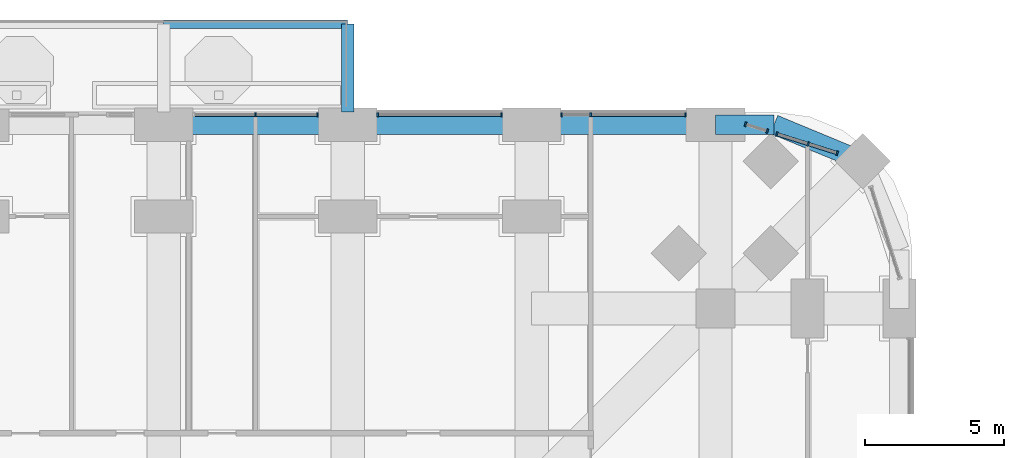
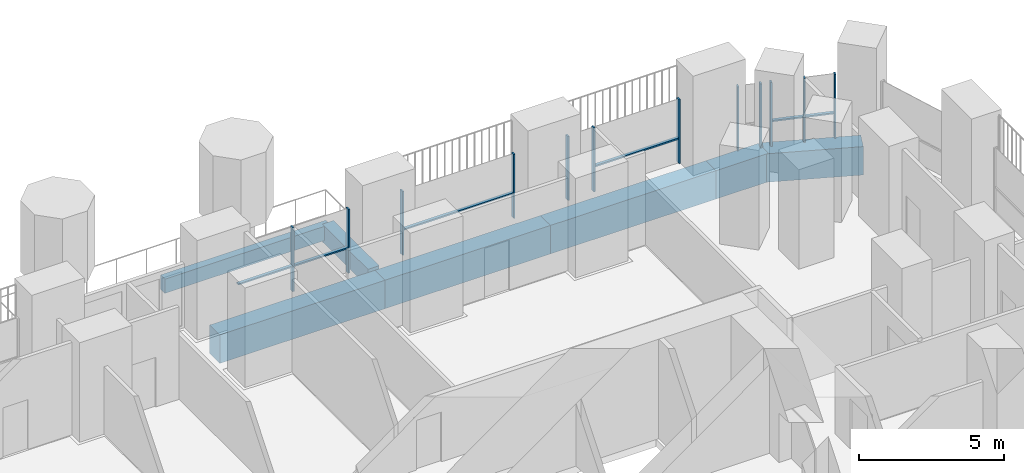
# One storey, part 9 of 26: 18 members, 7 beams, 5 elements without a shape of their own.
"""IFC4 building model written with IfcOpenShell, lengths in metres."""

import ifcopenshell
import ifcopenshell.guid

model = None  # the IFC model being written
_history = None  # IfcOwnerHistory: only IFC2X3 demands one
_inside = {}  # id of a spatial element -> (the spatial element, [elements in it])
_under = {}  # id of a project, library or spatial element -> (it, [spatial elements below it])
_declared = {}  # id of a project -> (the project, [libraries it declares])
_typed = {}  # id of a type object -> (the type object, [elements of that type])
_made_of = {}  # id of a material, layer set ... -> (it, [elements and type objects made of it])


def new_model(schema):
    """Start an empty IFC model of exactly this schema.

    Asked for "IFC4X3", IfcOpenShell would pick the latest addendum, in which some entities
    have other attributes; the version numbers below select the first issue.
    IFC2X3 requires an IfcOwnerHistory on every rooted entity: one is made here for all.
    """
    global model, _history
    if schema == "IFC4X3":
        model = ifcopenshell.file(schema_version=(4, 3, 0, 0))
    else:
        model = ifcopenshell.file(schema=schema)
    _inside.clear()
    _under.clear()
    _declared.clear()
    _typed.clear()
    _made_of.clear()
    _history = None
    if model.schema == "IFC2X3":
        org = make("IfcOrganization", Name="unknown")
        user = make(
            "IfcPersonAndOrganization",
            ThePerson=make("IfcPerson", FamilyName="unknown"),
            TheOrganization=org,
        )
        app = make(
            "IfcApplication",
            ApplicationDeveloper=org,
            Version="unknown",
            ApplicationFullName="unknown",
            ApplicationIdentifier="unknown",
        )
        _history = make(
            "IfcOwnerHistory",
            OwningUser=user,
            OwningApplication=app,
            ChangeAction="ADDED",
            CreationDate=0,
        )
    return model


def make(cls, **values):
    """One entity of the class cls with the attributes given. An attribute that is None is left unset."""
    return model.create_entity(
        cls, **{name: value for name, value in values.items() if value is not None}
    )


def rooted(cls, **values):
    """An entity with a GlobalId (a new one), such as an element, a storey or a relation."""
    return make(cls, GlobalId=ifcopenshell.guid.new(), OwnerHistory=_history, **values)


def si_unit(unit_type, name, prefix=None):
    """IfcSIUnit, for example si_unit("LENGTHUNIT", "METRE", prefix="MILLI")."""
    return make("IfcSIUnit", UnitType=unit_type, Prefix=prefix, Name=name)


def assignment(units):
    """IfcUnitAssignment: the units of a project."""
    return None if units is None else make("IfcUnitAssignment", Units=units)


def point(xyz):
    """IfcCartesianPoint."""
    return None if xyz is None else make("IfcCartesianPoint", Coordinates=xyz)


def direction(xyz):
    """IfcDirection."""
    return None if xyz is None else make("IfcDirection", DirectionRatios=xyz)


def frame(location, z_axis=None, x_axis=None):
    """IfcAxis2Placement3D, a coordinate frame: its origin and axes. An axis left out is left unset."""
    return make(
        "IfcAxis2Placement3D",
        Location=point(location),
        Axis=direction(z_axis),
        RefDirection=direction(x_axis),
    )


def frame_2d(location, x_axis=None):
    """IfcAxis2Placement2D, a coordinate frame in the plane: its origin and x axis."""
    return make(
        "IfcAxis2Placement2D", Location=point(location), RefDirection=direction(x_axis)
    )


def origin():
    """The frame at (0, 0, 0) with its axes left unset."""
    return frame((0.0, 0.0, 0.0))


def origin_2d():
    """The frame at (0, 0) in the plane with its x axis left unset."""
    return frame_2d((0.0, 0.0))


def place(relative_to, where):
    """IfcLocalPlacement: puts the frame where relative to a parent placement (None: the world)."""
    return make(
        "IfcLocalPlacement", PlacementRelTo=relative_to, RelativePlacement=where
    )


def context(
    kind, dimensions, precision=None, world=None, true_north=None, identifier=None
):
    """IfcGeometricRepresentationContext, for example the 3D "Model" context."""
    return make(
        "IfcGeometricRepresentationContext",
        ContextIdentifier=identifier,
        ContextType=kind,
        CoordinateSpaceDimension=dimensions,
        Precision=precision,
        WorldCoordinateSystem=world,
        TrueNorth=true_north,
    )


def subcontext(parent, identifier, kind, view, scale=None):
    """IfcGeometricRepresentationSubContext, for example "Body" below "Model"."""
    return make(
        "IfcGeometricRepresentationSubContext",
        ContextIdentifier=identifier,
        ContextType=kind,
        ParentContext=parent,
        TargetScale=scale,
        TargetView=view,
    )


def project(units=None, contexts=None):
    """IfcProject with its units and contexts."""
    return rooted(
        "IfcProject",
        Name="project",
        RepresentationContexts=contexts,
        UnitsInContext=assignment(units),
    )


def spatial(cls, under=None, at=None, **own):
    """A site, building, storey or space (cls), placed at a placement, below another one or the project."""
    s = rooted(cls, ObjectPlacement=at, **own)
    if under is not None:
        _under.setdefault(under.id(), (under, []))[1].append(s)
    return s


def profile(cls, at=None, kind="AREA", **sizes):
    """A parametric profile (cls). Its sizes go by their IFC names, for example OverallWidth=200.0."""
    return make(cls, ProfileType=kind, Position=at, **sizes)


def rectangle(**sizes):
    """IfcRectangleProfileDef."""
    return profile("IfcRectangleProfileDef", **sizes)


def extrude(swept, where, along, depth):
    """IfcExtrudedAreaSolid: the profile swept, set in the frame where, extruded along a direction by depth."""
    return make(
        "IfcExtrudedAreaSolid",
        SweptArea=swept,
        Position=where,
        ExtrudedDirection=direction(along),
        Depth=depth,
    )


def shape(context_of_items, identifier, shape_type, items):
    """IfcShapeRepresentation: the items that make up one representation, for example the "Body"."""
    return make(
        "IfcShapeRepresentation",
        ContextOfItems=context_of_items,
        RepresentationIdentifier=identifier,
        RepresentationType=shape_type,
        Items=items,
    )


def material(Name=None, Category=None):
    """IfcMaterial."""
    return make("IfcMaterial", Name=Name, Category=Category)


def material_profile(
    of_material, cross_section, Name=None, Category=None, Priority=None
):
    """IfcMaterialProfile: a cross section and its material."""
    return make(
        "IfcMaterialProfile",
        Name=Name,
        Material=of_material,
        Profile=cross_section,
        Priority=Priority,
        Category=Category,
    )


def profile_set(profiles, Name=None, composite=None):
    """IfcMaterialProfileSet."""
    return make(
        "IfcMaterialProfileSet",
        Name=Name,
        MaterialProfiles=profiles,
        CompositeProfile=composite,
    )


def made_of(thing, what):
    """Note that an element or type object is made of a material, layer set ...; save() writes the relation."""
    if what is not None:
        _made_of.setdefault(what.id(), (what, []))[1].append(thing)
    return thing


def type_object(cls, material=None, **own):
    """A type object (cls), such as IfcWallType, which elements share."""
    return made_of(rooted(cls, **own), material)


def element(
    cls,
    number,
    at=None,
    inside=None,
    cuts=None,
    type_object=None,
    material=None,
    context=None,
    identifier="Body",
    shape_type=None,
    held_by="IfcProductDefinitionShape",
    body=None,
    shapes=None,
    **own,
):
    """One element of the class cls, such as IfcWall. Its Tag is "e" and its number.

    at: its placement. inside: the storey or other place that contains it. cuts: it is an
    opening in that element (IfcRelVoidsElement). A single representation is given by context,
    identifier, shape_type and body (its items); several are given by shapes. held_by: the class
    of the entity that holds the representations. save() writes the other relations.
    """
    e = rooted(cls, Tag="e%d" % number, ObjectPlacement=at, **own)
    if body is not None:
        shapes = [shape(context, identifier, shape_type, body)]
    if shapes is not None:
        e.Representation = make(held_by, Representations=shapes)
    if inside is not None:
        _inside.setdefault(inside.id(), (inside, []))[1].append(e)
    if cuts is not None:
        rooted(
            "IfcRelVoidsElement", RelatingBuildingElement=cuts, RelatedOpeningElement=e
        )
    if type_object is not None:
        _typed.setdefault(type_object.id(), (type_object, []))[1].append(e)
    return made_of(e, material)


def aggregate(whole, parts):
    """IfcRelAggregates: a whole, such as a stair, and the parts it consists of."""
    return rooted("IfcRelAggregates", RelatingObject=whole, RelatedObjects=parts)


def save(model, path):
    """Write the relations noted so far, then the file.

    IfcRelAggregates (storeys below a building ...), IfcRelContainedInSpatialStructure (elements
    in a storey), IfcRelDefinesByType, IfcRelAssociatesMaterial and IfcRelDeclares: one each for
    every whole, place, type object, material and project.
    """
    for whole, parts in _under.values():
        aggregate(whole, parts)
    for where, things in _inside.values():
        rooted(
            "IfcRelContainedInSpatialStructure",
            RelatedElements=things,
            RelatingStructure=where,
        )
    for kind, things in _typed.values():
        rooted("IfcRelDefinesByType", RelatedObjects=things, RelatingType=kind)
    for what, things in _made_of.values():
        rooted("IfcRelAssociatesMaterial", RelatedObjects=things, RelatingMaterial=what)
    for by, libraries in _declared.values():
        rooted("IfcRelDeclares", RelatingContext=by, RelatedDefinitions=libraries)
    model.write(path)


model = new_model("IFC4")

# Units and contexts
model_context = context("Model", 3, precision=1e-05, world=origin(), true_north=direction((0.0, 1.0)))
body_context = subcontext(model_context, "Body", "Model", "MODEL_VIEW")
ifc_project = project(units=[si_unit("LENGTHUNIT", "METRE"), si_unit("AREAUNIT", "SQUARE_METRE"), si_unit("VOLUMEUNIT", "CUBIC_METRE"), si_unit("PLANEANGLEUNIT", "RADIAN"), si_unit("MASSUNIT", "GRAM", prefix="KILO")], contexts=[model_context])

# Site, building, storey
site_placement = place(None, origin())
site = spatial("IfcSite", under=ifc_project, at=site_placement, CompositionType="ELEMENT")
building_placement = place(site_placement, origin())
building = spatial("IfcBuilding", under=site, at=building_placement, Name="Cobogo Forest Laboratory Tower", CompositionType="ELEMENT")
storey_placement = place(building_placement, frame((0.0, 0.0, 25.5)))
storey = spatial("IfcBuildingStorey", under=building, at=storey_placement, Name="L05", CompositionType="ELEMENT", Elevation=25.5)

# Beams
ifc_material_1 = material(Name="Concrete HA-40 (C40/50)", Category="concrete")
ifc_material_profile_1 = material_profile(ifc_material_1, rectangle(XDim=0.449951171875, YDim=0.75, at=origin_2d()), Name="RC 450x750")
ifc_profile_set_1 = profile_set([ifc_material_profile_1], Name="Concrete HA-40 (C40/50)")
beam_type_1 = type_object("IfcBeamType", Name="Balcony cantilever beam 450x750", PredefinedType="BEAM", material=ifc_profile_set_1)
beam_1_placement = place(storey_placement, frame((33.0, 46.64990234375, -0.625), z_axis=(0.0, 1.0, 0.0), x_axis=(-1.0, 0.0, 0.0)))
element("IfcBeam", 1, at=beam_1_placement, inside=storey, type_object=beam_type_1, Name="CB1 BAL-N1-C3 L05", PredefinedType="BEAM", context=body_context, shape_type="SweptSolid", body=[
    extrude(rectangle(XDim=0.449951171875, YDim=0.75, at=origin_2d()), origin(), (0.0, 0.0, 1.0), 3.150146484375),
])
ifc_material_profile_2 = material_profile(ifc_material_1, rectangle(XDim=0.300048828125, YDim=0.60009765625, at=origin_2d()), Name="RC 300x600")
ifc_profile_set_2 = profile_set([ifc_material_profile_2], Name="Concrete HA-40 (C40/50)")
beam_type_2 = type_object("IfcBeamType", Name="Balcony edge beam 300x600", PredefinedType="BEAM", material=ifc_profile_set_2)
beam_2_placement = place(storey_placement, frame((26.39990234375, 49.800048828125, -0.550048828125), z_axis=(1.0, 0.0, 0.0), x_axis=(0.0, 1.0, 0.0)))
element("IfcBeam", 2, at=beam_2_placement, inside=storey, type_object=beam_type_2, Name="BB1 BAL-N1-T2 L05", PredefinedType="BEAM", context=body_context, shape_type="SweptSolid", body=[
    extrude(rectangle(XDim=0.300048828125, YDim=0.60009765625, at=origin_2d()), origin(), (0.0, 0.0, 1.0), 6.60009765625),
])

# Curtain wall, members
ifc_material_2 = material(Name="Aluminium curtain wall", Category="aluminium")
curtain_wall_type = type_object("IfcCurtainWallType", Name="CW-1 unitised curtain wall, clear glazing, laboratory floors zones A and B", PredefinedType="USERDEFINED", material=ifc_material_2)
curtain_wall_1_placement = place(storey_placement, origin())
curtain_wall_1 = element("IfcCurtainWall", 3, at=curtain_wall_1_placement, inside=storey, type_object=curtain_wall_type, Name="Curtain wall 16 L05", ObjectType="UNITISED CURTAIN WALL", PredefinedType="USERDEFINED")
ifc_material_3 = material(Name="Aluminium mullion", Category="aluminium")
ifc_material_profile_3 = material_profile(ifc_material_3, rectangle(XDim=0.06005859375, YDim=0.159912109375, at=origin_2d()), Name="AL 60x160")
ifc_profile_set_3 = profile_set([ifc_material_profile_3], Name="Aluminium mullion")
member_type_1 = type_object("IfcMemberType", Name="MU-1 aluminium mullion 60x160", PredefinedType="MULLION", material=ifc_profile_set_3)
member_1_placement = place(storey_placement, frame((50.561279296875, 45.1728515625, 0.0), z_axis=(0.0, 0.0, 1.0), x_axis=(-0.953581409645, 0.301135343623, 0.0)))
member_1 = element("IfcMember", 4, at=member_1_placement, type_object=member_type_1, Name="CW-1 mullion 1", PredefinedType="MULLION", context=body_context, shape_type="SweptSolid", body=[
    extrude(rectangle(XDim=0.06005859375, YDim=0.159912109375, at=origin_2d()), origin(), (0.0, 0.0, 1.0), 2.699951171875),
])
member_2_placement = place(storey_placement, frame((49.524169921875, 45.500244140625, 0.0), z_axis=(0.0, 0.0, 1.0), x_axis=(-0.953581409645, 0.301135343623, 0.0)))
member_2 = element("IfcMember", 5, at=member_2_placement, type_object=member_type_1, Name="CW-1 mullion 2", PredefinedType="MULLION", context=body_context, shape_type="SweptSolid", body=[
    extrude(rectangle(XDim=0.06005859375, YDim=0.159912109375, at=origin_2d()), origin(), (0.0, 0.0, 1.0), 2.699951171875),
])
member_3_placement = place(storey_placement, frame((48.403076171875, 45.854248046875, 0.0), z_axis=(0.0, 0.0, 1.0), x_axis=(-0.953581409645, 0.301135343623, 0.0)))
member_3 = element("IfcMember", 6, at=member_3_placement, type_object=member_type_1, Name="CW-1 mullion 3", PredefinedType="MULLION", context=body_context, shape_type="SweptSolid", body=[
    extrude(rectangle(XDim=0.06005859375, YDim=0.159912109375, at=origin_2d()), origin(), (0.0, 0.0, 1.0), 2.699951171875),
])

curtain_wall_2_placement = place(storey_placement, origin())
curtain_wall_2 = element("IfcCurtainWall", 7, at=curtain_wall_2_placement, inside=storey, type_object=curtain_wall_type, Name="Curtain wall 17 L05", ObjectType="UNITISED CURTAIN WALL", PredefinedType="USERDEFINED")
member_4_placement = place(storey_placement, frame((48.05322265625, 45.96484375, 0.0), z_axis=(0.0, 0.0, 1.0), x_axis=(-0.953581504428, 0.301135043481, 0.0)))
member_4 = element("IfcMember", 8, at=member_4_placement, type_object=member_type_1, Name="CW-1 mullion 1", PredefinedType="MULLION", context=body_context, shape_type="SweptSolid", body=[
    extrude(rectangle(XDim=0.06005859375, YDim=0.159912109375, at=origin_2d()), origin(), (0.0, 0.0, 1.0), 2.699951171875),
])
member_5_placement = place(storey_placement, frame((47.278564453125, 46.20947265625, 0.0), z_axis=(0.0, 0.0, 1.0), x_axis=(-0.953581504428, 0.301135043481, 0.0)))
member_5 = element("IfcMember", 9, at=member_5_placement, type_object=member_type_1, Name="CW-1 mullion 2", PredefinedType="MULLION", context=body_context, shape_type="SweptSolid", body=[
    extrude(rectangle(XDim=0.06005859375, YDim=0.159912109375, at=origin_2d()), origin(), (0.0, 0.0, 1.0), 2.699951171875),
])
aggregate(curtain_wall_2, [member_4, member_5])

curtain_wall_3_placement = place(storey_placement, origin())
curtain_wall_3 = element("IfcCurtainWall", 10, at=curtain_wall_3_placement, inside=storey, type_object=curtain_wall_type, Name="Curtain wall 18 L05", ObjectType="UNITISED CURTAIN WALL", PredefinedType="USERDEFINED")
member_6_placement = place(storey_placement, frame((45.1201171875, 46.550048828125, 0.0), z_axis=(0.0, 0.0, 1.0), x_axis=(-1.0, 0.0, 0.0)))
member_6 = element("IfcMember", 11, at=member_6_placement, type_object=member_type_1, Name="CW-1 mullion 1", PredefinedType="MULLION", context=body_context, shape_type="SweptSolid", body=[
    extrude(rectangle(XDim=0.06005859375, YDim=0.159912109375, at=origin_2d()), origin(), (0.0, 0.0, 1.0), 2.699951171875),
])
member_7_placement = place(storey_placement, frame((41.72509765625, 46.550048828125, 0.0), z_axis=(0.0, 0.0, 1.0), x_axis=(-1.0, 0.0, 0.0)))
member_7 = element("IfcMember", 12, at=member_7_placement, type_object=member_type_1, Name="CW-1 mullion 2", PredefinedType="MULLION", context=body_context, shape_type="SweptSolid", body=[
    extrude(rectangle(XDim=0.06005859375, YDim=0.159912109375, at=origin_2d()), origin(), (0.0, 0.0, 1.0), 2.699951171875),
])
member_8_placement = place(storey_placement, frame((40.679931640625, 46.550048828125, 0.0), z_axis=(0.0, 0.0, 1.0), x_axis=(-1.0, 0.0, 0.0)))
member_8 = element("IfcMember", 13, at=member_8_placement, type_object=member_type_1, Name="CW-1 mullion 3", PredefinedType="MULLION", context=body_context, shape_type="SweptSolid", body=[
    extrude(rectangle(XDim=0.06005859375, YDim=0.159912109375, at=origin_2d()), origin(), (0.0, 0.0, 1.0), 2.699951171875),
])

curtain_wall_4_placement = place(storey_placement, origin())
curtain_wall_4 = element("IfcCurtainWall", 14, at=curtain_wall_4_placement, inside=storey, type_object=curtain_wall_type, Name="Curtain wall 19 L05", ObjectType="UNITISED CURTAIN WALL", PredefinedType="USERDEFINED")
member_9_placement = place(storey_placement, frame((38.52001953125, 46.550048828125, 0.0), z_axis=(0.0, 0.0, 1.0), x_axis=(-1.0, 0.0, 0.0)))
member_9 = element("IfcMember", 15, at=member_9_placement, type_object=member_type_1, Name="CW-1 mullion 1", PredefinedType="MULLION", context=body_context, shape_type="SweptSolid", body=[
    extrude(rectangle(XDim=0.06005859375, YDim=0.159912109375, at=origin_2d()), origin(), (0.0, 0.0, 1.0), 2.699951171875),
])
member_10_placement = place(storey_placement, frame((34.080078125, 46.550048828125, 0.0), z_axis=(0.0, 0.0, 1.0), x_axis=(-1.0, 0.0, 0.0)))
member_10 = element("IfcMember", 16, at=member_10_placement, type_object=member_type_1, Name="CW-1 mullion 2", PredefinedType="MULLION", context=body_context, shape_type="SweptSolid", body=[
    extrude(rectangle(XDim=0.06005859375, YDim=0.159912109375, at=origin_2d()), origin(), (0.0, 0.0, 1.0), 2.699951171875),
])

curtain_wall_5_placement = place(storey_placement, origin())
curtain_wall_5 = element("IfcCurtainWall", 17, at=curtain_wall_5_placement, inside=storey, type_object=curtain_wall_type, Name="Curtain wall 20 L05", ObjectType="UNITISED CURTAIN WALL", PredefinedType="USERDEFINED")
member_11_placement = place(storey_placement, frame((31.919921875, 46.550048828125, 0.0), z_axis=(0.0, 0.0, 1.0), x_axis=(-1.0, 0.0, 0.0)))
member_11 = element("IfcMember", 18, at=member_11_placement, type_object=member_type_1, Name="CW-1 mullion 1", PredefinedType="MULLION", context=body_context, shape_type="SweptSolid", body=[
    extrude(rectangle(XDim=0.06005859375, YDim=0.159912109375, at=origin_2d()), origin(), (0.0, 0.0, 1.0), 2.699951171875),
])
member_12_placement = place(storey_placement, frame((29.699951171875, 46.550048828125, 0.0), z_axis=(0.0, 0.0, 1.0), x_axis=(-1.0, 0.0, 0.0)))
member_12 = element("IfcMember", 19, at=member_12_placement, type_object=member_type_1, Name="CW-1 mullion 2", PredefinedType="MULLION", context=body_context, shape_type="SweptSolid", body=[
    extrude(rectangle(XDim=0.06005859375, YDim=0.159912109375, at=origin_2d()), origin(), (0.0, 0.0, 1.0), 2.699951171875),
])

# Beams
ifc_material_profile_4 = material_profile(ifc_material_1, rectangle(XDim=0.699951171875, YDim=1.199951171875, at=origin_2d()), Name="RC 700x1200")
ifc_profile_set_4 = profile_set([ifc_material_profile_4], Name="Concrete HA-40 (C40/50)")
beam_type_3 = type_object("IfcBeamType", Name="Perimeter edge beam 700x1200", PredefinedType="BEAM", material=ifc_profile_set_4)
for number, where, z_axis, x_axis, name in (
    (20, (26.39990234375, 46.199951171875, -0.89990234375), (1.0, 0.0, 0.0), (0.0, 1.0, 0.0), "EB1 E-N4 L05"),
    (21, (33.0, 46.199951171875, -0.89990234375), (1.0, 0.0, 0.0), (0.0, 1.0, 0.0), "EB1 E-N5 L05"),
):
    element("IfcBeam", number, at=place(storey_placement, frame(where, z_axis=z_axis, x_axis=x_axis)), inside=storey, type_object=beam_type_3, Name=name, PredefinedType="BEAM", context=body_context, shape_type="SweptSolid", body=[
        extrude(rectangle(XDim=0.699951171875, YDim=1.199951171875, at=origin_2d()), origin(), (0.0, 0.0, 1.0), 6.60009765625),
    ])
beam_3_placement = place(storey_placement, frame((39.60009765625, 46.199951171875, -0.89990234375), z_axis=(1.0, 0.0, 0.0), x_axis=(0.0, 1.0, 0.0)))
element("IfcBeam", 22, at=beam_3_placement, inside=storey, type_object=beam_type_3, Name="EB1 E-N6 L05", PredefinedType="BEAM", context=body_context, shape_type="SweptSolid", body=[
    extrude(rectangle(XDim=0.699951171875, YDim=1.199951171875, at=origin_2d()), origin(), (0.0, 0.0, 1.0), 6.599853515625),
])
beam_4_placement = place(storey_placement, frame((46.199951171875, 46.199951171875, -0.89990234375), z_axis=(1.0, 0.0, 0.0), x_axis=(0.0, 1.0, 0.0)))
element("IfcBeam", 23, at=beam_4_placement, inside=storey, type_object=beam_type_3, Name="EB1 E-NEN1 L05", PredefinedType="BEAM", context=body_context, shape_type="SweptSolid", body=[
    extrude(rectangle(XDim=0.699951171875, YDim=1.199951171875, at=origin_2d()), origin(), (0.0, 0.0, 1.0), 2.10009765625),
])
beam_5_placement = place(storey_placement, frame((48.300048828125, 46.199951171875, -0.89990234375), z_axis=(0.923890694089, -0.382656484822, 0.0), x_axis=(0.382656484822, 0.923890694089, 0.0)))
element("IfcBeam", 24, at=beam_5_placement, inside=storey, type_object=beam_type_3, Name="EB1 E-NEN2 L05", PredefinedType="BEAM", context=body_context, shape_type="SweptSolid", body=[
    extrude(rectangle(XDim=0.699951171875, YDim=1.199951171875, at=origin_2d()), origin(), (0.0, 0.0, 1.0), 3.444091796875),
])

# Member
ifc_material_4 = material(Name="Aluminium transom", Category="aluminium")
ifc_material_profile_5 = material_profile(ifc_material_4, rectangle(XDim=0.1201171875, YDim=0.06005859375, at=origin_2d()), Name="AL 60x120")
ifc_profile_set_5 = profile_set([ifc_material_profile_5], Name="Aluminium transom")
member_type_2 = type_object("IfcMemberType", Name="TR-1 aluminium transom 60x120", PredefinedType="USERDEFINED", material=ifc_profile_set_5)
member_13_placement = place(storey_placement, frame((50.53271484375, 45.181884765625, 1.050048828125), z_axis=(-0.953622152866, 0.301006294888, 0.0), x_axis=(-0.301006294888, -0.953622152866, 0.0)))
member_13 = element("IfcMember", 25, at=member_13_placement, type_object=member_type_2, Name="CW-1 transom 1.1", ObjectType="TRANSOM", PredefinedType="USERDEFINED", context=body_context, shape_type="SweptSolid", body=[
    extrude(rectangle(XDim=0.1201171875, YDim=0.06005859375, at=origin_2d()), origin(), (0.0, 0.0, 1.0), 1.027587890625),
])

member_14_placement = place(storey_placement, frame((49.495361328125, 45.50927734375, 1.050048828125), z_axis=(-0.953576049467, 0.301152316747, 0.0), x_axis=(-0.301152316747, -0.953576049467, 0.0)))
member_14 = element("IfcMember", 26, at=member_14_placement, type_object=member_type_2, Name="CW-1 transom 2.1", ObjectType="TRANSOM", PredefinedType="USERDEFINED", context=body_context, shape_type="SweptSolid", body=[
    extrude(rectangle(XDim=0.1201171875, YDim=0.06005859375, at=origin_2d()), origin(), (0.0, 0.0, 1.0), 1.115478515625),
])

aggregate(curtain_wall_1, [member_1, member_2, member_3, member_13, member_14])

member_15_placement = place(storey_placement, frame((45.090087890625, 46.550048828125, 1.050048828125), z_axis=(-1.0, 0.0, 0.0), x_axis=(0.0, -1.0, 0.0)))
member_15 = element("IfcMember", 27, at=member_15_placement, type_object=member_type_2, Name="CW-1 transom 1.1", ObjectType="TRANSOM", PredefinedType="USERDEFINED", context=body_context, shape_type="SweptSolid", body=[
    extrude(rectangle(XDim=0.1201171875, YDim=0.06005859375, at=origin_2d()), origin(), (0.0, 0.0, 1.0), 3.335205078125),
])

aggregate(curtain_wall_3, [member_6, member_7, member_8, member_15])

member_16_placement = place(storey_placement, frame((38.489990234375, 46.550048828125, 1.050048828125), z_axis=(-1.0, 0.0, 0.0), x_axis=(0.0, -1.0, 0.0)))
member_16 = element("IfcMember", 28, at=member_16_placement, type_object=member_type_2, Name="CW-1 transom 1.1", ObjectType="TRANSOM", PredefinedType="USERDEFINED", context=body_context, shape_type="SweptSolid", body=[
    extrude(rectangle(XDim=0.1201171875, YDim=0.06005859375, at=origin_2d()), origin(), (0.0, 0.0, 1.0), 4.3798828125),
])

aggregate(curtain_wall_4, [member_9, member_10, member_16])

member_17_placement = place(storey_placement, frame((31.889892578125, 46.550048828125, 1.050048828125), z_axis=(-1.0, 0.0, 0.0), x_axis=(0.0, -1.0, 0.0)))
member_17 = element("IfcMember", 29, at=member_17_placement, type_object=member_type_2, Name="CW-1 transom 1.1", ObjectType="TRANSOM", PredefinedType="USERDEFINED", context=body_context, shape_type="SweptSolid", body=[
    extrude(rectangle(XDim=0.1201171875, YDim=0.06005859375, at=origin_2d()), origin(), (0.0, 0.0, 1.0), 2.159912109375),
])

member_18_placement = place(storey_placement, frame((29.669921875, 46.550048828125, 1.050048828125), z_axis=(-1.0, 0.0, 0.0), x_axis=(0.0, -1.0, 0.0)))
member_18 = element("IfcMember", 30, at=member_18_placement, type_object=member_type_2, Name="CW-1 transom 2.1", ObjectType="TRANSOM", PredefinedType="USERDEFINED", context=body_context, shape_type="SweptSolid", body=[
    extrude(rectangle(XDim=0.1201171875, YDim=0.06005859375, at=origin_2d()), origin(), (0.0, 0.0, 1.0), 2.159912109375),
])

aggregate(curtain_wall_5, [member_11, member_12, member_17, member_18])

save(model, "model.ifc")
